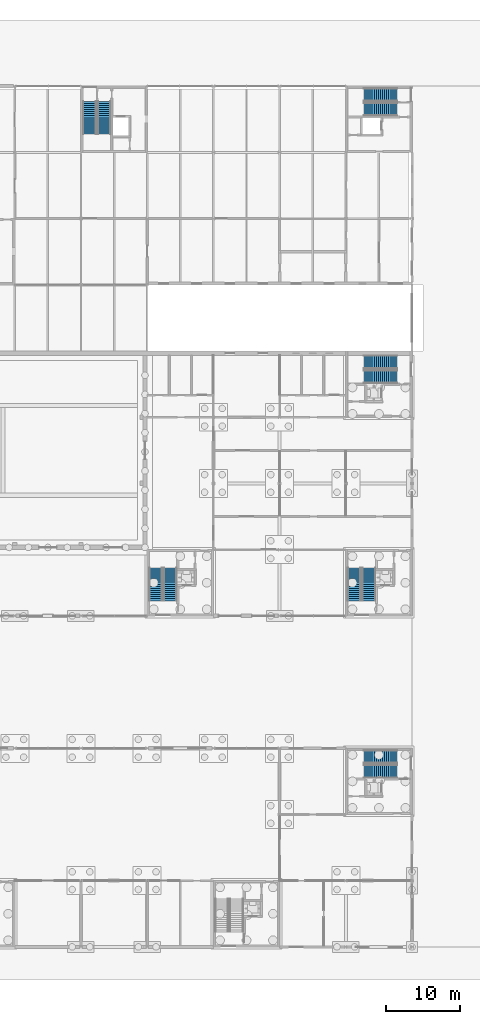
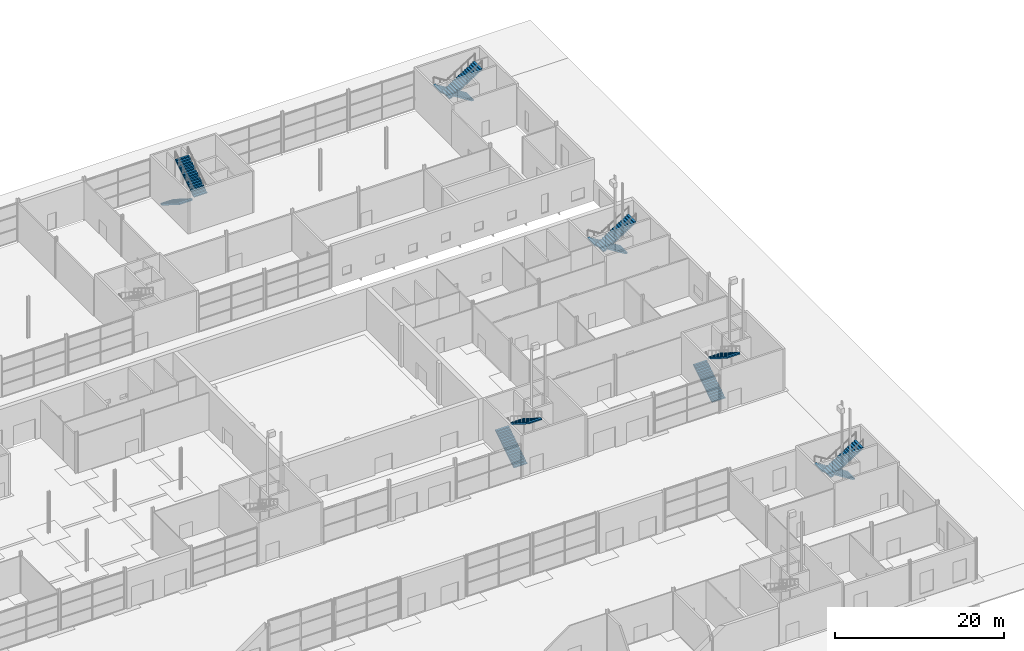
# One storey, part 83 of 97: 12 stair flights, 6 elements without a shape of their own.
"""IFC4 building model written with IfcOpenShell, lengths in metres."""

import ifcopenshell
import ifcopenshell.guid

model = None  # the IFC model being written
_history = None  # IfcOwnerHistory: only IFC2X3 demands one
_inside = {}  # id of a spatial element -> (the spatial element, [elements in it])
_under = {}  # id of a project, library or spatial element -> (it, [spatial elements below it])
_declared = {}  # id of a project -> (the project, [libraries it declares])
_typed = {}  # id of a type object -> (the type object, [elements of that type])
_made_of = {}  # id of a material, layer set ... -> (it, [elements and type objects made of it])


def new_model(schema):
    """Start an empty IFC model of exactly this schema.

    Asked for "IFC4X3", IfcOpenShell would pick the latest addendum, in which some entities
    have other attributes; the version numbers below select the first issue.
    IFC2X3 requires an IfcOwnerHistory on every rooted entity: one is made here for all.
    """
    global model, _history
    if schema == "IFC4X3":
        model = ifcopenshell.file(schema_version=(4, 3, 0, 0))
    else:
        model = ifcopenshell.file(schema=schema)
    _inside.clear()
    _under.clear()
    _declared.clear()
    _typed.clear()
    _made_of.clear()
    _history = None
    if model.schema == "IFC2X3":
        org = make("IfcOrganization", Name="unknown")
        user = make(
            "IfcPersonAndOrganization",
            ThePerson=make("IfcPerson", FamilyName="unknown"),
            TheOrganization=org,
        )
        app = make(
            "IfcApplication",
            ApplicationDeveloper=org,
            Version="unknown",
            ApplicationFullName="unknown",
            ApplicationIdentifier="unknown",
        )
        _history = make(
            "IfcOwnerHistory",
            OwningUser=user,
            OwningApplication=app,
            ChangeAction="ADDED",
            CreationDate=0,
        )
    return model


def make(cls, **values):
    """One entity of the class cls with the attributes given. An attribute that is None is left unset."""
    return model.create_entity(
        cls, **{name: value for name, value in values.items() if value is not None}
    )


def rooted(cls, **values):
    """An entity with a GlobalId (a new one), such as an element, a storey or a relation."""
    return make(cls, GlobalId=ifcopenshell.guid.new(), OwnerHistory=_history, **values)


def si_unit(unit_type, name, prefix=None):
    """IfcSIUnit, for example si_unit("LENGTHUNIT", "METRE", prefix="MILLI")."""
    return make("IfcSIUnit", UnitType=unit_type, Prefix=prefix, Name=name)


def assignment(units):
    """IfcUnitAssignment: the units of a project."""
    return None if units is None else make("IfcUnitAssignment", Units=units)


def point(xyz):
    """IfcCartesianPoint."""
    return None if xyz is None else make("IfcCartesianPoint", Coordinates=xyz)


def direction(xyz):
    """IfcDirection."""
    return None if xyz is None else make("IfcDirection", DirectionRatios=xyz)


def frame(location, z_axis=None, x_axis=None):
    """IfcAxis2Placement3D, a coordinate frame: its origin and axes. An axis left out is left unset."""
    return make(
        "IfcAxis2Placement3D",
        Location=point(location),
        Axis=direction(z_axis),
        RefDirection=direction(x_axis),
    )


def origin():
    """The frame at (0, 0, 0) with its axes left unset."""
    return frame((0.0, 0.0, 0.0))


def place(relative_to, where):
    """IfcLocalPlacement: puts the frame where relative to a parent placement (None: the world)."""
    return make(
        "IfcLocalPlacement", PlacementRelTo=relative_to, RelativePlacement=where
    )


def context(
    kind, dimensions, precision=None, world=None, true_north=None, identifier=None
):
    """IfcGeometricRepresentationContext, for example the 3D "Model" context."""
    return make(
        "IfcGeometricRepresentationContext",
        ContextIdentifier=identifier,
        ContextType=kind,
        CoordinateSpaceDimension=dimensions,
        Precision=precision,
        WorldCoordinateSystem=world,
        TrueNorth=true_north,
    )


def subcontext(parent, identifier, kind, view, scale=None):
    """IfcGeometricRepresentationSubContext, for example "Body" below "Model"."""
    return make(
        "IfcGeometricRepresentationSubContext",
        ContextIdentifier=identifier,
        ContextType=kind,
        ParentContext=parent,
        TargetScale=scale,
        TargetView=view,
    )


def project(units=None, contexts=None):
    """IfcProject with its units and contexts."""
    return rooted(
        "IfcProject",
        Name="project",
        RepresentationContexts=contexts,
        UnitsInContext=assignment(units),
    )


def spatial(cls, under=None, at=None, **own):
    """A site, building, storey or space (cls), placed at a placement, below another one or the project."""
    s = rooted(cls, ObjectPlacement=at, **own)
    if under is not None:
        _under.setdefault(under.id(), (under, []))[1].append(s)
    return s


def polyline(points):
    """IfcPolyline through the points."""
    return make("IfcPolyline", Points=[point(p) for p in points])


def outline(outer, holes=None, kind="AREA"):
    """IfcArbitraryClosedProfileDef: a profile drawn as a closed curve; with holes, ...WithVoids."""
    if holes is None:
        return make("IfcArbitraryClosedProfileDef", ProfileType=kind, OuterCurve=outer)
    return make(
        "IfcArbitraryProfileDefWithVoids",
        ProfileType=kind,
        OuterCurve=outer,
        InnerCurves=holes,
    )


def extrude(swept, where, along, depth):
    """IfcExtrudedAreaSolid: the profile swept, set in the frame where, extruded along a direction by depth."""
    return make(
        "IfcExtrudedAreaSolid",
        SweptArea=swept,
        Position=where,
        ExtrudedDirection=direction(along),
        Depth=depth,
    )


def shape(context_of_items, identifier, shape_type, items):
    """IfcShapeRepresentation: the items that make up one representation, for example the "Body"."""
    return make(
        "IfcShapeRepresentation",
        ContextOfItems=context_of_items,
        RepresentationIdentifier=identifier,
        RepresentationType=shape_type,
        Items=items,
    )


def material(Name=None, Category=None):
    """IfcMaterial."""
    return make("IfcMaterial", Name=Name, Category=Category)


def made_of(thing, what):
    """Note that an element or type object is made of a material, layer set ...; save() writes the relation."""
    if what is not None:
        _made_of.setdefault(what.id(), (what, []))[1].append(thing)
    return thing


def type_object(cls, material=None, **own):
    """A type object (cls), such as IfcWallType, which elements share."""
    return made_of(rooted(cls, **own), material)


def element(
    cls,
    number,
    at=None,
    inside=None,
    cuts=None,
    type_object=None,
    material=None,
    context=None,
    identifier="Body",
    shape_type=None,
    held_by="IfcProductDefinitionShape",
    body=None,
    shapes=None,
    **own,
):
    """One element of the class cls, such as IfcWall. Its Tag is "e" and its number.

    at: its placement. inside: the storey or other place that contains it. cuts: it is an
    opening in that element (IfcRelVoidsElement). A single representation is given by context,
    identifier, shape_type and body (its items); several are given by shapes. held_by: the class
    of the entity that holds the representations. save() writes the other relations.
    """
    e = rooted(cls, Tag="e%d" % number, ObjectPlacement=at, **own)
    if body is not None:
        shapes = [shape(context, identifier, shape_type, body)]
    if shapes is not None:
        e.Representation = make(held_by, Representations=shapes)
    if inside is not None:
        _inside.setdefault(inside.id(), (inside, []))[1].append(e)
    if cuts is not None:
        rooted(
            "IfcRelVoidsElement", RelatingBuildingElement=cuts, RelatedOpeningElement=e
        )
    if type_object is not None:
        _typed.setdefault(type_object.id(), (type_object, []))[1].append(e)
    return made_of(e, material)


def aggregate(whole, parts):
    """IfcRelAggregates: a whole, such as a stair, and the parts it consists of."""
    return rooted("IfcRelAggregates", RelatingObject=whole, RelatedObjects=parts)


def save(model, path):
    """Write the relations noted so far, then the file.

    IfcRelAggregates (storeys below a building ...), IfcRelContainedInSpatialStructure (elements
    in a storey), IfcRelDefinesByType, IfcRelAssociatesMaterial and IfcRelDeclares: one each for
    every whole, place, type object, material and project.
    """
    for whole, parts in _under.values():
        aggregate(whole, parts)
    for where, things in _inside.values():
        rooted(
            "IfcRelContainedInSpatialStructure",
            RelatedElements=things,
            RelatingStructure=where,
        )
    for kind, things in _typed.values():
        rooted("IfcRelDefinesByType", RelatedObjects=things, RelatingType=kind)
    for what, things in _made_of.values():
        rooted("IfcRelAssociatesMaterial", RelatedObjects=things, RelatingMaterial=what)
    for by, libraries in _declared.values():
        rooted("IfcRelDeclares", RelatingContext=by, RelatedDefinitions=libraries)
    model.write(path)


model = new_model("IFC4")

# Units and contexts
model_context = context("Model", 3, precision=1e-05, world=origin(), true_north=direction((0.0, 1.0)))
body_context = subcontext(model_context, "Body", "Model", "MODEL_VIEW")
ifc_project = project(units=[si_unit("LENGTHUNIT", "METRE"), si_unit("AREAUNIT", "SQUARE_METRE"), si_unit("VOLUMEUNIT", "CUBIC_METRE"), si_unit("PLANEANGLEUNIT", "RADIAN"), si_unit("MASSUNIT", "GRAM", prefix="KILO")], contexts=[model_context])

# Site, building, storey
site_placement = place(None, origin())
site = spatial("IfcSite", under=ifc_project, at=site_placement, CompositionType="ELEMENT")
building_placement = place(site_placement, origin())
building = spatial("IfcBuilding", under=site, at=building_placement, Name="Corbel Yard City Hall", CompositionType="ELEMENT")
storey_placement = place(building_placement, origin())
storey = spatial("IfcBuildingStorey", under=building, at=storey_placement, Name="L00", CompositionType="ELEMENT", Elevation=0.0)

# Stair, stair flights
ifc_material = material(Name="Concrete N40 (40 MPa)", Category="concrete")
stair_type = type_object("IfcStairType", Name="ST2", PredefinedType="HALF_TURN_STAIR", material=ifc_material)
stair_1_placement = place(storey_placement, origin())
stair_1 = element("IfcStair", 1, at=stair_1_placement, inside=storey, type_object=stair_type, Name="Exit stair L00", PredefinedType="HALF_TURN_STAIR")
stair_flight_type = type_object("IfcStairFlightType", Name="FL2", PredefinedType="STRAIGHT", material=ifc_material)
stair_flight_1_placement = place(storey_placement, frame((177.949951171875, 25.85009765625, 0.0), z_axis=(0.0, 0.0, 1.0), x_axis=(-1.0, 0.0, 0.0)))
stair_flight_1 = element("IfcStairFlight", 2, at=stair_flight_1_placement, type_object=stair_flight_type, Name="PS7 flight 1", NumberOfRisers=17, NumberOfTreads=16, PredefinedType="STRAIGHT", RiserHeight=0.176471, TreadLength=0.28, context=body_context, shape_type="SweptSolid", body=[
    extrude(outline(polyline([(0.0, 0.0), (0.0, 0.176513671875), (0.280029296875, 0.176513671875), (0.280029296875, 0.35302734375), (0.56005859375, 0.35302734375), (0.56005859375, 0.529296875), (0.840087890625, 0.529296875), (0.840087890625, 0.705810546875), (1.1201171875, 0.705810546875), (1.1201171875, 0.88232421875), (1.39990234375, 0.88232421875), (1.39990234375, 1.058837890625), (1.679931640625, 1.058837890625), (1.679931640625, 1.2353515625), (1.9599609375, 1.2353515625), (1.9599609375, 1.411865234375), (2.239990234375, 1.411865234375), (2.239990234375, 1.588134765625), (2.52001953125, 1.588134765625), (2.52001953125, 1.7646484375), (2.800048828125, 1.7646484375), (2.800048828125, 1.941162109375), (3.080078125, 1.941162109375), (3.080078125, 2.11767578125), (3.360107421875, 2.11767578125), (3.360107421875, 2.294189453125), (3.639892578125, 2.294189453125), (3.639892578125, 2.470703125), (3.919921875, 2.470703125), (3.919921875, 2.64697265625), (4.199951171875, 2.64697265625), (4.199951171875, 2.823486328125), (4.47998046875, 2.823486328125), (4.47998046875, 3.0), (4.47998046875, 2.646240234375), (0.28125, 0.0), (0.0, 0.0)])), frame((0.0, 0.89990234375, 0.0), z_axis=(0.0, -1.0, 0.0), x_axis=(1.0, 0.0, 0.0)), (0.0, 0.0, 1.0), 1.800048828125),
])
stair_flight_2_placement = place(storey_placement, frame((173.469970703125, 23.85009765625, 3.0), z_axis=(0.0, 0.0, 1.0), x_axis=(1.0, 0.0, 0.0)))
stair_flight_2 = element("IfcStairFlight", 3, at=stair_flight_2_placement, type_object=stair_flight_type, Name="PS7 flight 2", NumberOfRisers=17, NumberOfTreads=16, PredefinedType="STRAIGHT", RiserHeight=0.176471, TreadLength=0.28, context=body_context, shape_type="SweptSolid", body=[
    extrude(outline(polyline([(0.0, 0.0), (0.0, 0.176513671875), (0.280029296875, 0.176513671875), (0.280029296875, 0.35302734375), (0.56005859375, 0.35302734375), (0.56005859375, 0.529296875), (0.840087890625, 0.529296875), (0.840087890625, 0.705810546875), (1.1201171875, 0.705810546875), (1.1201171875, 0.88232421875), (1.39990234375, 0.88232421875), (1.39990234375, 1.058837890625), (1.679931640625, 1.058837890625), (1.679931640625, 1.2353515625), (1.9599609375, 1.2353515625), (1.9599609375, 1.411865234375), (2.239990234375, 1.411865234375), (2.239990234375, 1.588134765625), (2.52001953125, 1.588134765625), (2.52001953125, 1.7646484375), (2.800048828125, 1.7646484375), (2.800048828125, 1.941162109375), (3.080078125, 1.941162109375), (3.080078125, 2.11767578125), (3.360107421875, 2.11767578125), (3.360107421875, 2.294189453125), (3.639892578125, 2.294189453125), (3.639892578125, 2.470703125), (3.919921875, 2.470703125), (3.919921875, 2.64697265625), (4.199951171875, 2.64697265625), (4.199951171875, 2.823486328125), (4.47998046875, 2.823486328125), (4.47998046875, 3.0), (4.47998046875, 2.646240234375), (0.28125, 0.0), (0.0, 0.0)])), frame((0.0, 0.89990234375, 0.0), z_axis=(0.0, -1.0, 0.0), x_axis=(1.0, 0.0, 0.0)), (0.0, 0.0, 1.0), 1.800048828125),
])
aggregate(stair_1, [stair_flight_1, stair_flight_2])

stair_2_placement = place(storey_placement, origin())
stair_2 = element("IfcStair", 4, at=stair_2_placement, inside=storey, type_object=stair_type, Name="Exit stair L00", PredefinedType="HALF_TURN_STAIR")
stair_flight_3_placement = place(storey_placement, frame((145.14990234375, 47.050048828125, 0.0), z_axis=(0.0, 0.0, 1.0), x_axis=(0.0, 1.0, 0.0)))
stair_flight_3 = element("IfcStairFlight", 5, at=stair_flight_3_placement, type_object=stair_flight_type, Name="PS11 flight 1", NumberOfRisers=17, NumberOfTreads=16, PredefinedType="STRAIGHT", RiserHeight=0.176471, TreadLength=0.28, context=body_context, shape_type="SweptSolid", body=[
    extrude(outline(polyline([(0.0, 0.0), (0.0, 0.176513671875), (0.280029296875, 0.176513671875), (0.280029296875, 0.35302734375), (0.56005859375, 0.35302734375), (0.56005859375, 0.529296875), (0.840087890625, 0.529296875), (0.840087890625, 0.705810546875), (1.1201171875, 0.705810546875), (1.1201171875, 0.88232421875), (1.39990234375, 0.88232421875), (1.39990234375, 1.058837890625), (1.679931640625, 1.058837890625), (1.679931640625, 1.2353515625), (1.9599609375, 1.2353515625), (1.9599609375, 1.411865234375), (2.239990234375, 1.411865234375), (2.239990234375, 1.588134765625), (2.52001953125, 1.588134765625), (2.52001953125, 1.7646484375), (2.800048828125, 1.7646484375), (2.800048828125, 1.941162109375), (3.080078125, 1.941162109375), (3.080078125, 2.11767578125), (3.360107421875, 2.11767578125), (3.360107421875, 2.294189453125), (3.639892578125, 2.294189453125), (3.639892578125, 2.470703125), (3.919921875, 2.470703125), (3.919921875, 2.64697265625), (4.199951171875, 2.64697265625), (4.199951171875, 2.823486328125), (4.47998046875, 2.823486328125), (4.47998046875, 3.0), (4.47998046875, 2.646240234375), (0.28125, 0.0), (0.0, 0.0)])), frame((0.0, 0.89990234375, 0.0), z_axis=(0.0, -1.0, 0.0), x_axis=(1.0, 0.0, 0.0)), (0.0, 0.0, 1.0), 1.800048828125),
])
stair_flight_4_placement = place(storey_placement, frame((147.14990234375, 51.530029296875, 3.0), z_axis=(0.0, 0.0, 1.0), x_axis=(0.0, -1.0, 0.0)))
stair_flight_4 = element("IfcStairFlight", 6, at=stair_flight_4_placement, type_object=stair_flight_type, Name="PS11 flight 2", NumberOfRisers=17, NumberOfTreads=16, PredefinedType="STRAIGHT", RiserHeight=0.176471, TreadLength=0.28, context=body_context, shape_type="SweptSolid", body=[
    extrude(outline(polyline([(0.0, 0.0), (0.0, 0.176513671875), (0.280029296875, 0.176513671875), (0.280029296875, 0.35302734375), (0.56005859375, 0.35302734375), (0.56005859375, 0.529296875), (0.840087890625, 0.529296875), (0.840087890625, 0.705810546875), (1.1201171875, 0.705810546875), (1.1201171875, 0.88232421875), (1.39990234375, 0.88232421875), (1.39990234375, 1.058837890625), (1.679931640625, 1.058837890625), (1.679931640625, 1.2353515625), (1.9599609375, 1.2353515625), (1.9599609375, 1.411865234375), (2.239990234375, 1.411865234375), (2.239990234375, 1.588134765625), (2.52001953125, 1.588134765625), (2.52001953125, 1.7646484375), (2.800048828125, 1.7646484375), (2.800048828125, 1.941162109375), (3.080078125, 1.941162109375), (3.080078125, 2.11767578125), (3.360107421875, 2.11767578125), (3.360107421875, 2.294189453125), (3.639892578125, 2.294189453125), (3.639892578125, 2.470703125), (3.919921875, 2.470703125), (3.919921875, 2.64697265625), (4.199951171875, 2.64697265625), (4.199951171875, 2.823486328125), (4.47998046875, 2.823486328125), (4.47998046875, 3.0), (4.47998046875, 2.646240234375), (0.28125, 0.0), (0.0, 0.0)])), frame((0.0, 0.89990234375, 0.0), z_axis=(0.0, -1.0, 0.0), x_axis=(1.0, 0.0, 0.0)), (0.0, 0.0, 1.0), 1.800048828125),
])
aggregate(stair_2, [stair_flight_3, stair_flight_4])

stair_3_placement = place(storey_placement, origin())
stair_3 = element("IfcStair", 7, at=stair_3_placement, inside=storey, type_object=stair_type, Name="Exit stair L00", PredefinedType="HALF_TURN_STAIR")
stair_flight_5_placement = place(storey_placement, frame((172.14990234375, 47.050048828125, 0.0), z_axis=(0.0, 0.0, 1.0), x_axis=(0.0, 1.0, 0.0)))
stair_flight_5 = element("IfcStairFlight", 8, at=stair_flight_5_placement, type_object=stair_flight_type, Name="PS12 flight 1", NumberOfRisers=17, NumberOfTreads=16, PredefinedType="STRAIGHT", RiserHeight=0.176471, TreadLength=0.28, context=body_context, shape_type="SweptSolid", body=[
    extrude(outline(polyline([(0.0, 0.0), (0.0, 0.176513671875), (0.280029296875, 0.176513671875), (0.280029296875, 0.35302734375), (0.56005859375, 0.35302734375), (0.56005859375, 0.529296875), (0.840087890625, 0.529296875), (0.840087890625, 0.705810546875), (1.1201171875, 0.705810546875), (1.1201171875, 0.88232421875), (1.39990234375, 0.88232421875), (1.39990234375, 1.058837890625), (1.679931640625, 1.058837890625), (1.679931640625, 1.2353515625), (1.9599609375, 1.2353515625), (1.9599609375, 1.411865234375), (2.239990234375, 1.411865234375), (2.239990234375, 1.588134765625), (2.52001953125, 1.588134765625), (2.52001953125, 1.7646484375), (2.800048828125, 1.7646484375), (2.800048828125, 1.941162109375), (3.080078125, 1.941162109375), (3.080078125, 2.11767578125), (3.360107421875, 2.11767578125), (3.360107421875, 2.294189453125), (3.639892578125, 2.294189453125), (3.639892578125, 2.470703125), (3.919921875, 2.470703125), (3.919921875, 2.64697265625), (4.199951171875, 2.64697265625), (4.199951171875, 2.823486328125), (4.47998046875, 2.823486328125), (4.47998046875, 3.0), (4.47998046875, 2.646240234375), (0.28125, 0.0), (0.0, 0.0)])), frame((0.0, 0.89990234375, 0.0), z_axis=(0.0, -1.0, 0.0), x_axis=(1.0, 0.0, 0.0)), (0.0, 0.0, 1.0), 1.800048828125),
])
stair_flight_6_placement = place(storey_placement, frame((174.14990234375, 51.530029296875, 3.0), z_axis=(0.0, 0.0, 1.0), x_axis=(0.0, -1.0, 0.0)))
stair_flight_6 = element("IfcStairFlight", 9, at=stair_flight_6_placement, type_object=stair_flight_type, Name="PS12 flight 2", NumberOfRisers=17, NumberOfTreads=16, PredefinedType="STRAIGHT", RiserHeight=0.176471, TreadLength=0.28, context=body_context, shape_type="SweptSolid", body=[
    extrude(outline(polyline([(0.0, 0.0), (0.0, 0.176513671875), (0.280029296875, 0.176513671875), (0.280029296875, 0.35302734375), (0.56005859375, 0.35302734375), (0.56005859375, 0.529296875), (0.840087890625, 0.529296875), (0.840087890625, 0.705810546875), (1.1201171875, 0.705810546875), (1.1201171875, 0.88232421875), (1.39990234375, 0.88232421875), (1.39990234375, 1.058837890625), (1.679931640625, 1.058837890625), (1.679931640625, 1.2353515625), (1.9599609375, 1.2353515625), (1.9599609375, 1.411865234375), (2.239990234375, 1.411865234375), (2.239990234375, 1.588134765625), (2.52001953125, 1.588134765625), (2.52001953125, 1.7646484375), (2.800048828125, 1.7646484375), (2.800048828125, 1.941162109375), (3.080078125, 1.941162109375), (3.080078125, 2.11767578125), (3.360107421875, 2.11767578125), (3.360107421875, 2.294189453125), (3.639892578125, 2.294189453125), (3.639892578125, 2.470703125), (3.919921875, 2.470703125), (3.919921875, 2.64697265625), (4.199951171875, 2.64697265625), (4.199951171875, 2.823486328125), (4.47998046875, 2.823486328125), (4.47998046875, 3.0), (4.47998046875, 2.646240234375), (0.28125, 0.0), (0.0, 0.0)])), frame((0.0, 0.89990234375, 0.0), z_axis=(0.0, -1.0, 0.0), x_axis=(1.0, 0.0, 0.0)), (0.0, 0.0, 1.0), 1.800048828125),
])
aggregate(stair_3, [stair_flight_5, stair_flight_6])

stair_4_placement = place(storey_placement, origin())
stair_4 = element("IfcStair", 10, at=stair_4_placement, inside=storey, type_object=stair_type, Name="Exit stair L00", PredefinedType="HALF_TURN_STAIR")
stair_flight_7_placement = place(storey_placement, frame((177.949951171875, 79.5, 0.0), z_axis=(0.0, 0.0, 1.0), x_axis=(-1.0, 0.0, 0.0)))
stair_flight_7 = element("IfcStairFlight", 11, at=stair_flight_7_placement, type_object=stair_flight_type, Name="PS15 flight 1", NumberOfRisers=17, NumberOfTreads=16, PredefinedType="STRAIGHT", RiserHeight=0.176471, TreadLength=0.28, context=body_context, shape_type="SweptSolid", body=[
    extrude(outline(polyline([(0.0, 0.0), (0.0, 0.176513671875), (0.280029296875, 0.176513671875), (0.280029296875, 0.35302734375), (0.56005859375, 0.35302734375), (0.56005859375, 0.529296875), (0.840087890625, 0.529296875), (0.840087890625, 0.705810546875), (1.1201171875, 0.705810546875), (1.1201171875, 0.88232421875), (1.39990234375, 0.88232421875), (1.39990234375, 1.058837890625), (1.679931640625, 1.058837890625), (1.679931640625, 1.2353515625), (1.9599609375, 1.2353515625), (1.9599609375, 1.411865234375), (2.239990234375, 1.411865234375), (2.239990234375, 1.588134765625), (2.52001953125, 1.588134765625), (2.52001953125, 1.7646484375), (2.800048828125, 1.7646484375), (2.800048828125, 1.941162109375), (3.080078125, 1.941162109375), (3.080078125, 2.11767578125), (3.360107421875, 2.11767578125), (3.360107421875, 2.294189453125), (3.639892578125, 2.294189453125), (3.639892578125, 2.470703125), (3.919921875, 2.470703125), (3.919921875, 2.64697265625), (4.199951171875, 2.64697265625), (4.199951171875, 2.823486328125), (4.47998046875, 2.823486328125), (4.47998046875, 3.0), (4.47998046875, 2.646240234375), (0.28125, 0.0), (0.0, 0.0)])), frame((0.0, 0.89990234375, 0.0), z_axis=(0.0, -1.0, 0.0), x_axis=(1.0, 0.0, 0.0)), (0.0, 0.0, 1.0), 1.800048828125),
])
stair_flight_8_placement = place(storey_placement, frame((173.469970703125, 77.5, 3.0), z_axis=(0.0, 0.0, 1.0), x_axis=(1.0, 0.0, 0.0)))
stair_flight_8 = element("IfcStairFlight", 12, at=stair_flight_8_placement, type_object=stair_flight_type, Name="PS15 flight 2", NumberOfRisers=17, NumberOfTreads=16, PredefinedType="STRAIGHT", RiserHeight=0.176471, TreadLength=0.28, context=body_context, shape_type="SweptSolid", body=[
    extrude(outline(polyline([(0.0, 0.0), (0.0, 0.176513671875), (0.280029296875, 0.176513671875), (0.280029296875, 0.35302734375), (0.56005859375, 0.35302734375), (0.56005859375, 0.529296875), (0.840087890625, 0.529296875), (0.840087890625, 0.705810546875), (1.1201171875, 0.705810546875), (1.1201171875, 0.88232421875), (1.39990234375, 0.88232421875), (1.39990234375, 1.058837890625), (1.679931640625, 1.058837890625), (1.679931640625, 1.2353515625), (1.9599609375, 1.2353515625), (1.9599609375, 1.411865234375), (2.239990234375, 1.411865234375), (2.239990234375, 1.588134765625), (2.52001953125, 1.588134765625), (2.52001953125, 1.7646484375), (2.800048828125, 1.7646484375), (2.800048828125, 1.941162109375), (3.080078125, 1.941162109375), (3.080078125, 2.11767578125), (3.360107421875, 2.11767578125), (3.360107421875, 2.294189453125), (3.639892578125, 2.294189453125), (3.639892578125, 2.470703125), (3.919921875, 2.470703125), (3.919921875, 2.64697265625), (4.199951171875, 2.64697265625), (4.199951171875, 2.823486328125), (4.47998046875, 2.823486328125), (4.47998046875, 3.0), (4.47998046875, 2.646240234375), (0.28125, 0.0), (0.0, 0.0)])), frame((0.0, 0.89990234375, 0.0), z_axis=(0.0, -1.0, 0.0), x_axis=(1.0, 0.0, 0.0)), (0.0, 0.0, 1.0), 1.800048828125),
])
aggregate(stair_4, [stair_flight_7, stair_flight_8])

stair_5_placement = place(storey_placement, origin())
stair_5 = element("IfcStair", 13, at=stair_5_placement, inside=storey, type_object=stair_type, Name="Exit stair L00", PredefinedType="HALF_TURN_STAIR")
stair_flight_9_placement = place(storey_placement, frame((136.14990234375, 114.949951171875, 0.0), z_axis=(0.0, 0.0, 1.0), x_axis=(0.0, -1.0, 0.0)))
stair_flight_9 = element("IfcStairFlight", 14, at=stair_flight_9_placement, type_object=stair_flight_type, Name="PS18 flight 1", NumberOfRisers=17, NumberOfTreads=16, PredefinedType="STRAIGHT", RiserHeight=0.176471, TreadLength=0.28, context=body_context, shape_type="SweptSolid", body=[
    extrude(outline(polyline([(0.0, 0.0), (0.0, 0.176513671875), (0.280029296875, 0.176513671875), (0.280029296875, 0.35302734375), (0.56005859375, 0.35302734375), (0.56005859375, 0.529296875), (0.840087890625, 0.529296875), (0.840087890625, 0.705810546875), (1.1201171875, 0.705810546875), (1.1201171875, 0.88232421875), (1.39990234375, 0.88232421875), (1.39990234375, 1.058837890625), (1.679931640625, 1.058837890625), (1.679931640625, 1.2353515625), (1.9599609375, 1.2353515625), (1.9599609375, 1.411865234375), (2.239990234375, 1.411865234375), (2.239990234375, 1.588134765625), (2.52001953125, 1.588134765625), (2.52001953125, 1.7646484375), (2.800048828125, 1.7646484375), (2.800048828125, 1.941162109375), (3.080078125, 1.941162109375), (3.080078125, 2.11767578125), (3.360107421875, 2.11767578125), (3.360107421875, 2.294189453125), (3.639892578125, 2.294189453125), (3.639892578125, 2.470703125), (3.919921875, 2.470703125), (3.919921875, 2.64697265625), (4.199951171875, 2.64697265625), (4.199951171875, 2.823486328125), (4.47998046875, 2.823486328125), (4.47998046875, 3.0), (4.47998046875, 2.646240234375), (0.28125, 0.0), (0.0, 0.0)])), frame((0.0, 0.89990234375, 0.0), z_axis=(0.0, -1.0, 0.0), x_axis=(1.0, 0.0, 0.0)), (0.0, 0.0, 1.0), 1.800048828125),
])
stair_flight_10_placement = place(storey_placement, frame((138.14990234375, 110.469970703125, 3.0), z_axis=(0.0, 0.0, 1.0), x_axis=(0.0, 1.0, 0.0)))
stair_flight_10 = element("IfcStairFlight", 15, at=stair_flight_10_placement, type_object=stair_flight_type, Name="PS18 flight 2", NumberOfRisers=17, NumberOfTreads=16, PredefinedType="STRAIGHT", RiserHeight=0.176471, TreadLength=0.28, context=body_context, shape_type="SweptSolid", body=[
    extrude(outline(polyline([(0.0, 0.0), (0.0, 0.176513671875), (0.280029296875, 0.176513671875), (0.280029296875, 0.35302734375), (0.56005859375, 0.35302734375), (0.56005859375, 0.529296875), (0.840087890625, 0.529296875), (0.840087890625, 0.705810546875), (1.1201171875, 0.705810546875), (1.1201171875, 0.88232421875), (1.39990234375, 0.88232421875), (1.39990234375, 1.058837890625), (1.679931640625, 1.058837890625), (1.679931640625, 1.2353515625), (1.9599609375, 1.2353515625), (1.9599609375, 1.411865234375), (2.239990234375, 1.411865234375), (2.239990234375, 1.588134765625), (2.52001953125, 1.588134765625), (2.52001953125, 1.7646484375), (2.800048828125, 1.7646484375), (2.800048828125, 1.941162109375), (3.080078125, 1.941162109375), (3.080078125, 2.11767578125), (3.360107421875, 2.11767578125), (3.360107421875, 2.294189453125), (3.639892578125, 2.294189453125), (3.639892578125, 2.470703125), (3.919921875, 2.470703125), (3.919921875, 2.64697265625), (4.199951171875, 2.64697265625), (4.199951171875, 2.823486328125), (4.47998046875, 2.823486328125), (4.47998046875, 3.0), (4.47998046875, 2.646240234375), (0.28125, 0.0), (0.0, 0.0)])), frame((0.0, 0.89990234375, 0.0), z_axis=(0.0, -1.0, 0.0), x_axis=(1.0, 0.0, 0.0)), (0.0, 0.0, 1.0), 1.800048828125),
])
aggregate(stair_5, [stair_flight_9, stair_flight_10])

stair_6_placement = place(storey_placement, origin())
stair_6 = element("IfcStair", 16, at=stair_6_placement, inside=storey, type_object=stair_type, Name="Exit stair L00", PredefinedType="HALF_TURN_STAIR")
stair_flight_11_placement = place(storey_placement, frame((177.949951171875, 115.85009765625, 0.0), z_axis=(0.0, 0.0, 1.0), x_axis=(-1.0, 0.0, 0.0)))
stair_flight_11 = element("IfcStairFlight", 17, at=stair_flight_11_placement, type_object=stair_flight_type, Name="PS19 flight 1", NumberOfRisers=17, NumberOfTreads=16, PredefinedType="STRAIGHT", RiserHeight=0.176471, TreadLength=0.28, context=body_context, shape_type="SweptSolid", body=[
    extrude(outline(polyline([(0.0, 0.0), (0.0, 0.176513671875), (0.280029296875, 0.176513671875), (0.280029296875, 0.35302734375), (0.56005859375, 0.35302734375), (0.56005859375, 0.529296875), (0.840087890625, 0.529296875), (0.840087890625, 0.705810546875), (1.1201171875, 0.705810546875), (1.1201171875, 0.88232421875), (1.39990234375, 0.88232421875), (1.39990234375, 1.058837890625), (1.679931640625, 1.058837890625), (1.679931640625, 1.2353515625), (1.9599609375, 1.2353515625), (1.9599609375, 1.411865234375), (2.239990234375, 1.411865234375), (2.239990234375, 1.588134765625), (2.52001953125, 1.588134765625), (2.52001953125, 1.7646484375), (2.800048828125, 1.7646484375), (2.800048828125, 1.941162109375), (3.080078125, 1.941162109375), (3.080078125, 2.11767578125), (3.360107421875, 2.11767578125), (3.360107421875, 2.294189453125), (3.639892578125, 2.294189453125), (3.639892578125, 2.470703125), (3.919921875, 2.470703125), (3.919921875, 2.64697265625), (4.199951171875, 2.64697265625), (4.199951171875, 2.823486328125), (4.47998046875, 2.823486328125), (4.47998046875, 3.0), (4.47998046875, 2.646240234375), (0.28125, 0.0), (0.0, 0.0)])), frame((0.0, 0.89990234375, 0.0), z_axis=(0.0, -1.0, 0.0), x_axis=(1.0, 0.0, 0.0)), (0.0, 0.0, 1.0), 1.800048828125),
])
stair_flight_12_placement = place(storey_placement, frame((173.469970703125, 113.85009765625, 3.0), z_axis=(0.0, 0.0, 1.0), x_axis=(1.0, 0.0, 0.0)))
stair_flight_12 = element("IfcStairFlight", 18, at=stair_flight_12_placement, type_object=stair_flight_type, Name="PS19 flight 2", NumberOfRisers=17, NumberOfTreads=16, PredefinedType="STRAIGHT", RiserHeight=0.176471, TreadLength=0.28, context=body_context, shape_type="SweptSolid", body=[
    extrude(outline(polyline([(0.0, 0.0), (0.0, 0.176513671875), (0.280029296875, 0.176513671875), (0.280029296875, 0.35302734375), (0.56005859375, 0.35302734375), (0.56005859375, 0.529296875), (0.840087890625, 0.529296875), (0.840087890625, 0.705810546875), (1.1201171875, 0.705810546875), (1.1201171875, 0.88232421875), (1.39990234375, 0.88232421875), (1.39990234375, 1.058837890625), (1.679931640625, 1.058837890625), (1.679931640625, 1.2353515625), (1.9599609375, 1.2353515625), (1.9599609375, 1.411865234375), (2.239990234375, 1.411865234375), (2.239990234375, 1.588134765625), (2.52001953125, 1.588134765625), (2.52001953125, 1.7646484375), (2.800048828125, 1.7646484375), (2.800048828125, 1.941162109375), (3.080078125, 1.941162109375), (3.080078125, 2.11767578125), (3.360107421875, 2.11767578125), (3.360107421875, 2.294189453125), (3.639892578125, 2.294189453125), (3.639892578125, 2.470703125), (3.919921875, 2.470703125), (3.919921875, 2.64697265625), (4.199951171875, 2.64697265625), (4.199951171875, 2.823486328125), (4.47998046875, 2.823486328125), (4.47998046875, 3.0), (4.47998046875, 2.646240234375), (0.28125, 0.0), (0.0, 0.0)])), frame((0.0, 0.89990234375, 0.0), z_axis=(0.0, -1.0, 0.0), x_axis=(1.0, 0.0, 0.0)), (0.0, 0.0, 1.0), 1.800048828125),
])
aggregate(stair_6, [stair_flight_11, stair_flight_12])

save(model, "model.ifc")
